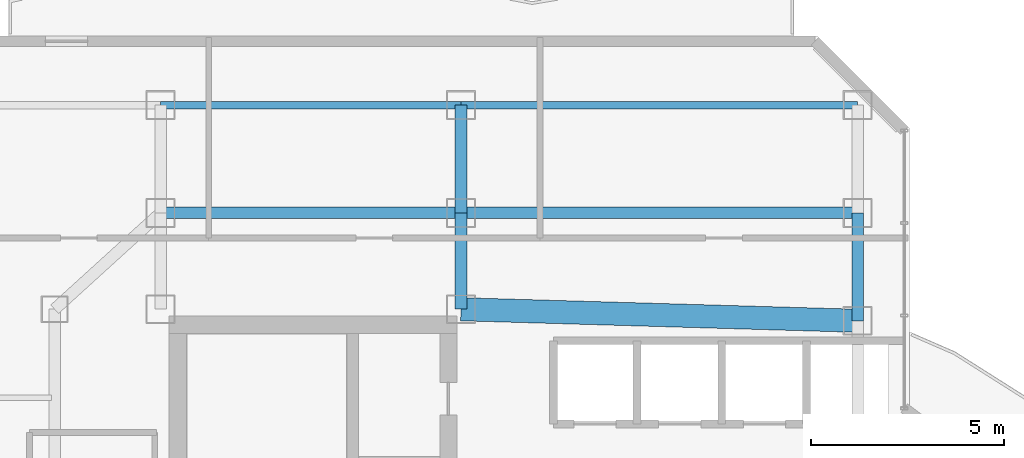
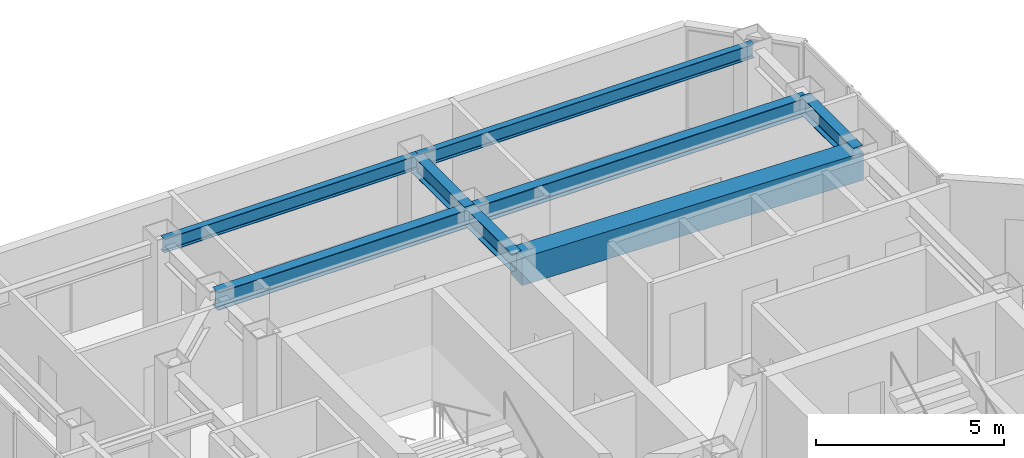
# One storey, part 16 of 24: 8 beams.
"""IFC4 building model written with IfcOpenShell, lengths in metres."""

from ifc_helpers import new_model, si_unit, direction, frame, origin, origin_2d, place, context, subcontext, project, spatial, rectangle, i_section, extrude, material, material_profile, profile_set, type_object, element, save


model = new_model("IFC4")

# Units and contexts
model_context = context("Model", 3, precision=1e-05, world=origin(), true_north=direction((0.0, 1.0)))
body_context = subcontext(model_context, "Body", "Model", "MODEL_VIEW")
ifc_project = project(units=[si_unit("LENGTHUNIT", "METRE"), si_unit("AREAUNIT", "SQUARE_METRE"), si_unit("VOLUMEUNIT", "CUBIC_METRE"), si_unit("PLANEANGLEUNIT", "RADIAN"), si_unit("MASSUNIT", "GRAM", prefix="KILO")], contexts=[model_context])

# Site, building, storey
site_placement = place(None, origin())
site = spatial("IfcSite", under=ifc_project, at=site_placement, CompositionType="ELEMENT")
building_placement = place(site_placement, origin())
building = spatial("IfcBuilding", under=site, at=building_placement, Name="Hatsunagi Terrace Concourse", CompositionType="ELEMENT")
storey_placement = place(building_placement, frame((0.0, 0.0, 202.35009765625)))
storey = spatial("IfcBuildingStorey", under=building, at=storey_placement, Name="L53", CompositionType="ELEMENT", Elevation=202.35009765625)

# Beams
ifc_material_1 = material(Name="Concrete Fc42", Category="concrete")
ifc_material_profile_1 = material_profile(ifc_material_1, rectangle(XDim=0.60009765625, YDim=0.89990234375, at=origin_2d()), Name="RC-600x900")
ifc_profile_set_1 = profile_set([ifc_material_profile_1], Name="Concrete Fc42")
beam_type_1 = type_object("IfcBeamType", Name="CoreCouplingBeam_RC_600x900", PredefinedType="BEAM", material=ifc_profile_set_1)
beam_1_placement = place(storey_placement, frame((33.35009765625, 43.300048828125, 2.89990234375), z_axis=(0.999575947545, -0.029119153303, 0.0), x_axis=(0.029119153303, 0.999575947545, 0.0)))
element("IfcBeam", 1, at=beam_1_placement, inside=storey, type_object=beam_type_1, Name="Beam CB-03 CB-L53-2", PredefinedType="BEAM", context=body_context, shape_type="SweptSolid", body=[
    extrude(rectangle(XDim=0.60009765625, YDim=0.89990234375, at=origin_2d()), origin(), (0.0, 0.0, 1.0), 10.30419921875),
])
ifc_material_2 = material(Name="Steel SN490B", Category="steel")
ifc_material_profile_2 = material_profile(ifc_material_2, i_section(OverallWidth=0.300048828125, OverallDepth=0.587890625, WebThickness=0.011962890625, FlangeThickness=0.02001953125, FilletRadius=0.01806640625, at=origin_2d()), Name="H-588x300x12x20")
ifc_profile_set_2 = profile_set([ifc_material_profile_2], Name="Steel SN490B")
beam_type_2 = type_object("IfcBeamType", Name="OfficeHighGirder_H_588x300", PredefinedType="BEAM", material=ifc_profile_set_2)
beam_2_placement = place(storey_placement, frame((33.35009765625, 43.300048828125, 3.055908203125), z_axis=(0.0, 1.0, 0.0), x_axis=(-1.0, 0.0, 0.0)))
element("IfcBeam", 2, at=beam_2_placement, inside=storey, type_object=beam_type_2, Name="Beam G-06 BM-L53-CN2", PredefinedType="BEAM", context=body_context, shape_type="SweptSolid", body=[
    extrude(i_section(OverallWidth=0.300048828125, OverallDepth=0.587890625, WebThickness=0.011962890625, FlangeThickness=0.02001953125, FilletRadius=0.01806640625, at=origin_2d()), origin(), (0.0, 0.0, 1.0), 2.5),
])
beam_3_placement = place(storey_placement, frame((43.64990234375, 43.0, 3.055908203125), z_axis=(0.0, 1.0, 0.0), x_axis=(-1.0, 0.0, 0.0)))
element("IfcBeam", 3, at=beam_3_placement, inside=storey, type_object=beam_type_2, Name="Beam G-06 BM-L53-CN3", PredefinedType="BEAM", context=body_context, shape_type="SweptSolid", body=[
    extrude(i_section(OverallWidth=0.300048828125, OverallDepth=0.587890625, WebThickness=0.011962890625, FlangeThickness=0.02001953125, FilletRadius=0.01806640625, at=origin_2d()), origin(), (0.0, 0.0, 1.0), 2.800048828125),
])
beam_4_placement = place(storey_placement, frame((25.550048828125, 45.800048828125, 3.055908203125), z_axis=(1.0, 0.0, 0.0), x_axis=(0.0, 1.0, 0.0)))
element("IfcBeam", 4, at=beam_4_placement, inside=storey, type_object=beam_type_2, Name="Beam G-06 BM-L53-CNEW1", PredefinedType="BEAM", context=body_context, shape_type="SweptSolid", body=[
    extrude(i_section(OverallWidth=0.300048828125, OverallDepth=0.587890625, WebThickness=0.011962890625, FlangeThickness=0.02001953125, FilletRadius=0.01806640625, at=origin_2d()), origin(), (0.0, 0.0, 1.0), 7.800048828125),
])
beam_5_placement = place(storey_placement, frame((33.35009765625, 45.800048828125, 3.055908203125), z_axis=(1.0, 0.0, 0.0), x_axis=(0.0, 1.0, 0.0)))
element("IfcBeam", 5, at=beam_5_placement, inside=storey, type_object=beam_type_2, Name="Beam G-06 BM-L53-CNEW2", PredefinedType="BEAM", context=body_context, shape_type="SweptSolid", body=[
    extrude(i_section(OverallWidth=0.300048828125, OverallDepth=0.587890625, WebThickness=0.011962890625, FlangeThickness=0.02001953125, FilletRadius=0.01806640625, at=origin_2d()), origin(), (0.0, 0.0, 1.0), 10.2998046875),
])
beam_6_placement = place(storey_placement, frame((33.35009765625, 45.800048828125, 3.055908203125), z_axis=(0.0, 1.0, 0.0), x_axis=(-1.0, 0.0, 0.0)))
element("IfcBeam", 6, at=beam_6_placement, inside=storey, type_object=beam_type_2, Name="Beam G-06 BM-L53-KN-WN5", PredefinedType="BEAM", context=body_context, shape_type="SweptSolid", body=[
    extrude(i_section(OverallWidth=0.300048828125, OverallDepth=0.587890625, WebThickness=0.011962890625, FlangeThickness=0.02001953125, FilletRadius=0.01806640625, at=origin_2d()), origin(), (0.0, 0.0, 1.0), 2.800048828125),
])
ifc_material_3 = material(Name="Steel SN490B", Category="steel")
ifc_material_profile_3 = material_profile(ifc_material_3, i_section(OverallWidth=0.199951171875, OverallDepth=0.449951171875, WebThickness=0.009033203125, FlangeThickness=0.013916015625, FilletRadius=0.01611328125, at=origin_2d()), Name="H-450x200x9x14")
ifc_profile_set_3 = profile_set([ifc_material_profile_3], Name="Steel SN490B")
beam_type_3 = type_object("IfcBeamType", Name="PerimeterSpandrel_H_450x200", PredefinedType="SPANDREL", material=ifc_profile_set_3)
beam_7_placement = place(storey_placement, frame((25.550048828125, 48.60009765625, 3.125), z_axis=(1.0, 0.0, 0.0), x_axis=(0.0, 1.0, 0.0)))
element("IfcBeam", 7, at=beam_7_placement, inside=storey, type_object=beam_type_3, Name="Beam SP-02 BM-L53-WN-25", PredefinedType="SPANDREL", context=body_context, shape_type="SweptSolid", body=[
    extrude(i_section(OverallWidth=0.199951171875, OverallDepth=0.449951171875, WebThickness=0.009033203125, FlangeThickness=0.013916015625, FilletRadius=0.01611328125, at=origin_2d()), origin(), (0.0, 0.0, 1.0), 7.800048828125),
])
beam_8_placement = place(storey_placement, frame((33.35009765625, 48.60009765625, 3.125), z_axis=(1.0, 0.0, 0.0), x_axis=(0.0, 1.0, 0.0)))
element("IfcBeam", 8, at=beam_8_placement, inside=storey, type_object=beam_type_3, Name="Beam SP-02 BM-L53-WN-33", PredefinedType="SPANDREL", context=body_context, shape_type="SweptSolid", body=[
    extrude(i_section(OverallWidth=0.199951171875, OverallDepth=0.449951171875, WebThickness=0.009033203125, FlangeThickness=0.013916015625, FilletRadius=0.01611328125, at=origin_2d()), origin(), (0.0, 0.0, 1.0), 10.2998046875),
])

save(model, "model.ifc")
